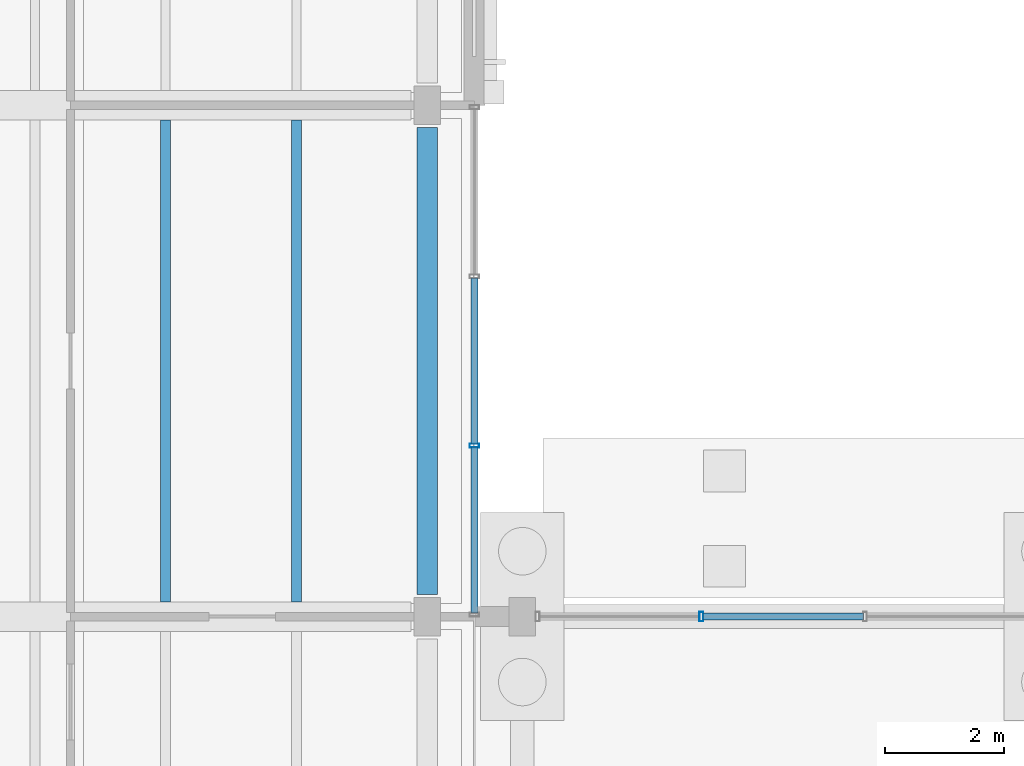
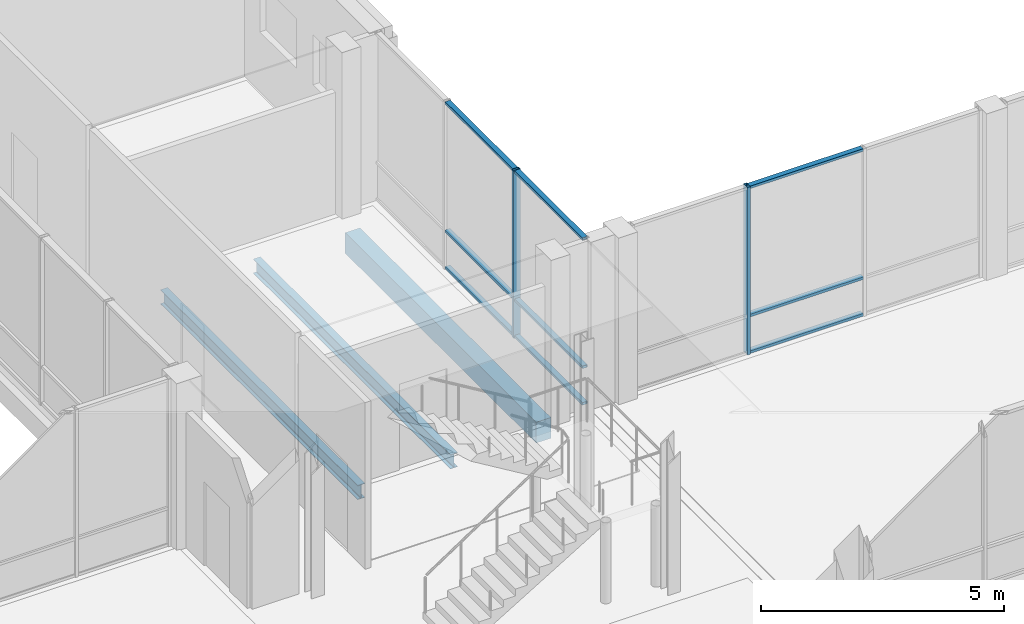
# One storey, part 56 of 104: 11 members, 3 beams, 2 elements without a shape of their own.
"""IFC4 building model written with IfcOpenShell, lengths in metres."""

import ifcopenshell
import ifcopenshell.guid

model = None  # the IFC model being written
_history = None  # IfcOwnerHistory: only IFC2X3 demands one
_inside = {}  # id of a spatial element -> (the spatial element, [elements in it])
_under = {}  # id of a project, library or spatial element -> (it, [spatial elements below it])
_declared = {}  # id of a project -> (the project, [libraries it declares])
_typed = {}  # id of a type object -> (the type object, [elements of that type])
_made_of = {}  # id of a material, layer set ... -> (it, [elements and type objects made of it])


def new_model(schema):
    """Start an empty IFC model of exactly this schema.

    Asked for "IFC4X3", IfcOpenShell would pick the latest addendum, in which some entities
    have other attributes; the version numbers below select the first issue.
    IFC2X3 requires an IfcOwnerHistory on every rooted entity: one is made here for all.
    """
    global model, _history
    if schema == "IFC4X3":
        model = ifcopenshell.file(schema_version=(4, 3, 0, 0))
    else:
        model = ifcopenshell.file(schema=schema)
    _inside.clear()
    _under.clear()
    _declared.clear()
    _typed.clear()
    _made_of.clear()
    _history = None
    if model.schema == "IFC2X3":
        org = make("IfcOrganization", Name="unknown")
        user = make(
            "IfcPersonAndOrganization",
            ThePerson=make("IfcPerson", FamilyName="unknown"),
            TheOrganization=org,
        )
        app = make(
            "IfcApplication",
            ApplicationDeveloper=org,
            Version="unknown",
            ApplicationFullName="unknown",
            ApplicationIdentifier="unknown",
        )
        _history = make(
            "IfcOwnerHistory",
            OwningUser=user,
            OwningApplication=app,
            ChangeAction="ADDED",
            CreationDate=0,
        )
    return model


def make(cls, **values):
    """One entity of the class cls with the attributes given. An attribute that is None is left unset."""
    return model.create_entity(
        cls, **{name: value for name, value in values.items() if value is not None}
    )


def rooted(cls, **values):
    """An entity with a GlobalId (a new one), such as an element, a storey or a relation."""
    return make(cls, GlobalId=ifcopenshell.guid.new(), OwnerHistory=_history, **values)


def si_unit(unit_type, name, prefix=None):
    """IfcSIUnit, for example si_unit("LENGTHUNIT", "METRE", prefix="MILLI")."""
    return make("IfcSIUnit", UnitType=unit_type, Prefix=prefix, Name=name)


def assignment(units):
    """IfcUnitAssignment: the units of a project."""
    return None if units is None else make("IfcUnitAssignment", Units=units)


def point(xyz):
    """IfcCartesianPoint."""
    return None if xyz is None else make("IfcCartesianPoint", Coordinates=xyz)


def direction(xyz):
    """IfcDirection."""
    return None if xyz is None else make("IfcDirection", DirectionRatios=xyz)


def frame(location, z_axis=None, x_axis=None):
    """IfcAxis2Placement3D, a coordinate frame: its origin and axes. An axis left out is left unset."""
    return make(
        "IfcAxis2Placement3D",
        Location=point(location),
        Axis=direction(z_axis),
        RefDirection=direction(x_axis),
    )


def frame_2d(location, x_axis=None):
    """IfcAxis2Placement2D, a coordinate frame in the plane: its origin and x axis."""
    return make(
        "IfcAxis2Placement2D", Location=point(location), RefDirection=direction(x_axis)
    )


def origin():
    """The frame at (0, 0, 0) with its axes left unset."""
    return frame((0.0, 0.0, 0.0))


def origin_2d():
    """The frame at (0, 0) in the plane with its x axis left unset."""
    return frame_2d((0.0, 0.0))


def place(relative_to, where):
    """IfcLocalPlacement: puts the frame where relative to a parent placement (None: the world)."""
    return make(
        "IfcLocalPlacement", PlacementRelTo=relative_to, RelativePlacement=where
    )


def context(
    kind, dimensions, precision=None, world=None, true_north=None, identifier=None
):
    """IfcGeometricRepresentationContext, for example the 3D "Model" context."""
    return make(
        "IfcGeometricRepresentationContext",
        ContextIdentifier=identifier,
        ContextType=kind,
        CoordinateSpaceDimension=dimensions,
        Precision=precision,
        WorldCoordinateSystem=world,
        TrueNorth=true_north,
    )


def subcontext(parent, identifier, kind, view, scale=None):
    """IfcGeometricRepresentationSubContext, for example "Body" below "Model"."""
    return make(
        "IfcGeometricRepresentationSubContext",
        ContextIdentifier=identifier,
        ContextType=kind,
        ParentContext=parent,
        TargetScale=scale,
        TargetView=view,
    )


def project(units=None, contexts=None):
    """IfcProject with its units and contexts."""
    return rooted(
        "IfcProject",
        Name="project",
        RepresentationContexts=contexts,
        UnitsInContext=assignment(units),
    )


def spatial(cls, under=None, at=None, **own):
    """A site, building, storey or space (cls), placed at a placement, below another one or the project."""
    s = rooted(cls, ObjectPlacement=at, **own)
    if under is not None:
        _under.setdefault(under.id(), (under, []))[1].append(s)
    return s


def profile(cls, at=None, kind="AREA", **sizes):
    """A parametric profile (cls). Its sizes go by their IFC names, for example OverallWidth=200.0."""
    return make(cls, ProfileType=kind, Position=at, **sizes)


def rectangle(**sizes):
    """IfcRectangleProfileDef."""
    return profile("IfcRectangleProfileDef", **sizes)


def hollow_rectangle(**sizes):
    """IfcRectangleHollowProfileDef."""
    return profile("IfcRectangleHollowProfileDef", **sizes)


def i_section(**sizes):
    """IfcIShapeProfileDef."""
    return profile("IfcIShapeProfileDef", **sizes)


def extrude(swept, where, along, depth):
    """IfcExtrudedAreaSolid: the profile swept, set in the frame where, extruded along a direction by depth."""
    return make(
        "IfcExtrudedAreaSolid",
        SweptArea=swept,
        Position=where,
        ExtrudedDirection=direction(along),
        Depth=depth,
    )


def shape(context_of_items, identifier, shape_type, items):
    """IfcShapeRepresentation: the items that make up one representation, for example the "Body"."""
    return make(
        "IfcShapeRepresentation",
        ContextOfItems=context_of_items,
        RepresentationIdentifier=identifier,
        RepresentationType=shape_type,
        Items=items,
    )


def material(Name=None, Category=None):
    """IfcMaterial."""
    return make("IfcMaterial", Name=Name, Category=Category)


def material_profile(
    of_material, cross_section, Name=None, Category=None, Priority=None
):
    """IfcMaterialProfile: a cross section and its material."""
    return make(
        "IfcMaterialProfile",
        Name=Name,
        Material=of_material,
        Profile=cross_section,
        Priority=Priority,
        Category=Category,
    )


def profile_set(profiles, Name=None, composite=None):
    """IfcMaterialProfileSet."""
    return make(
        "IfcMaterialProfileSet",
        Name=Name,
        MaterialProfiles=profiles,
        CompositeProfile=composite,
    )


def made_of(thing, what):
    """Note that an element or type object is made of a material, layer set ...; save() writes the relation."""
    if what is not None:
        _made_of.setdefault(what.id(), (what, []))[1].append(thing)
    return thing


def type_object(cls, material=None, **own):
    """A type object (cls), such as IfcWallType, which elements share."""
    return made_of(rooted(cls, **own), material)


def element(
    cls,
    number,
    at=None,
    inside=None,
    cuts=None,
    type_object=None,
    material=None,
    context=None,
    identifier="Body",
    shape_type=None,
    held_by="IfcProductDefinitionShape",
    body=None,
    shapes=None,
    **own,
):
    """One element of the class cls, such as IfcWall. Its Tag is "e" and its number.

    at: its placement. inside: the storey or other place that contains it. cuts: it is an
    opening in that element (IfcRelVoidsElement). A single representation is given by context,
    identifier, shape_type and body (its items); several are given by shapes. held_by: the class
    of the entity that holds the representations. save() writes the other relations.
    """
    e = rooted(cls, Tag="e%d" % number, ObjectPlacement=at, **own)
    if body is not None:
        shapes = [shape(context, identifier, shape_type, body)]
    if shapes is not None:
        e.Representation = make(held_by, Representations=shapes)
    if inside is not None:
        _inside.setdefault(inside.id(), (inside, []))[1].append(e)
    if cuts is not None:
        rooted(
            "IfcRelVoidsElement", RelatingBuildingElement=cuts, RelatedOpeningElement=e
        )
    if type_object is not None:
        _typed.setdefault(type_object.id(), (type_object, []))[1].append(e)
    return made_of(e, material)


def aggregate(whole, parts):
    """IfcRelAggregates: a whole, such as a stair, and the parts it consists of."""
    return rooted("IfcRelAggregates", RelatingObject=whole, RelatedObjects=parts)


def save(model, path):
    """Write the relations noted so far, then the file.

    IfcRelAggregates (storeys below a building ...), IfcRelContainedInSpatialStructure (elements
    in a storey), IfcRelDefinesByType, IfcRelAssociatesMaterial and IfcRelDeclares: one each for
    every whole, place, type object, material and project.
    """
    for whole, parts in _under.values():
        aggregate(whole, parts)
    for where, things in _inside.values():
        rooted(
            "IfcRelContainedInSpatialStructure",
            RelatedElements=things,
            RelatingStructure=where,
        )
    for kind, things in _typed.values():
        rooted("IfcRelDefinesByType", RelatedObjects=things, RelatingType=kind)
    for what, things in _made_of.values():
        rooted("IfcRelAssociatesMaterial", RelatedObjects=things, RelatingMaterial=what)
    for by, libraries in _declared.values():
        rooted("IfcRelDeclares", RelatingContext=by, RelatedDefinitions=libraries)
    model.write(path)


model = new_model("IFC4")

# Units and contexts
model_context = context("Model", 3, precision=1e-05, world=origin(), true_north=direction((0.0, 1.0)))
body_context = subcontext(model_context, "Body", "Model", "MODEL_VIEW")
ifc_project = project(units=[si_unit("LENGTHUNIT", "METRE"), si_unit("AREAUNIT", "SQUARE_METRE"), si_unit("VOLUMEUNIT", "CUBIC_METRE"), si_unit("PLANEANGLEUNIT", "RADIAN"), si_unit("MASSUNIT", "GRAM", prefix="KILO")], contexts=[model_context])

# Site, building, storey
site_placement = place(None, origin())
site = spatial("IfcSite", under=ifc_project, at=site_placement, CompositionType="ELEMENT")
building_placement = place(site_placement, origin())
building = spatial("IfcBuilding", under=site, at=building_placement, Name="Hawrajan Terrace Health Centre", CompositionType="ELEMENT")
storey_placement = place(building_placement, origin())
storey = spatial("IfcBuildingStorey", under=building, at=storey_placement, Name="L00", CompositionType="ELEMENT", Elevation=0.0)

# Curtain wall, member
ifc_material_1 = material(Name="Anodized bronze aluminium and low-E solar glazing", Category="aluminium")
curtain_wall_type_1 = type_object("IfcCurtainWallType", Name="CW_CourtNS_SeriesC3", PredefinedType="USERDEFINED", material=ifc_material_1)
curtain_wall_1_placement = place(storey_placement, origin())
curtain_wall_1 = element("IfcCurtainWall", 1, at=curtain_wall_1_placement, inside=storey, type_object=curtain_wall_type_1, Name="Curtain wall CW-L00-033", ObjectType="UNITISED CURTAIN WALL", PredefinedType="USERDEFINED")
ifc_material_2 = material(Name="Anodized bronze aluminium 6063-T6", Category="aluminium")
ifc_material_profile_1 = material_profile(ifc_material_2, hollow_rectangle(XDim=0.06494140625, YDim=0.159912109375, WallThickness=0.00390625, at=origin_2d()), Name="CW MUL 65x160")
ifc_profile_set_1 = profile_set([ifc_material_profile_1], Name="Anodized bronze aluminium 6063-T6")
member_type_1 = type_object("IfcMemberType", Name="CWMullion_65x160", PredefinedType="MULLION", material=ifc_profile_set_1)
member_1_placement = place(storey_placement, frame((71.794921875, 39.677490234375, -0.0048828125), z_axis=(0.0, 0.0, 1.0), x_axis=(0.0, 1.0, 0.0)))
member_1 = element("IfcMember", 2, at=member_1_placement, type_object=member_type_1, Name="Mullion CW-L00-033-M2", PredefinedType="MULLION", context=body_context, shape_type="SweptSolid", body=[
    extrude(hollow_rectangle(XDim=0.06494140625, YDim=0.159912109375, WallThickness=0.00390625, at=origin_2d()), origin(), (0.0, 0.0, 1.0), 4.2099609375),
])

curtain_wall_type_2 = type_object("IfcCurtainWallType", Name="CW_Pavilion_SeriesE1", PredefinedType="USERDEFINED", material=ifc_material_1)
curtain_wall_2_placement = place(storey_placement, origin())
curtain_wall_2 = element("IfcCurtainWall", 3, at=curtain_wall_2_placement, inside=storey, type_object=curtain_wall_type_2, Name="Curtain wall CW-L00-036", ObjectType="UNITISED CURTAIN WALL", PredefinedType="USERDEFINED")
member_2_placement = place(storey_placement, frame((75.61083984375, 36.800048828125, -0.0048828125), z_axis=(0.0, 0.0, 1.0), x_axis=(1.0, 0.0, 0.0)))
member_2 = element("IfcMember", 4, at=member_2_placement, type_object=member_type_1, Name="Mullion CW-L00-036-M2", PredefinedType="MULLION", context=body_context, shape_type="SweptSolid", body=[
    extrude(hollow_rectangle(XDim=0.06494140625, YDim=0.159912109375, WallThickness=0.00390625, at=origin_2d()), origin(), (0.0, 0.0, 1.0), 4.2099609375),
])

# Member
ifc_material_profile_2 = material_profile(ifc_material_2, hollow_rectangle(XDim=0.06494140625, YDim=0.1201171875, WallThickness=0.00341796875, at=origin_2d()), Name="CW TRN 65x120")
ifc_profile_set_2 = profile_set([ifc_material_profile_2], Name="Anodized bronze aluminium 6063-T6")
member_type_2 = type_object("IfcMemberType", Name="CWTransom_65x120", PredefinedType="USERDEFINED", material=ifc_profile_set_2)
member_3_placement = place(storey_placement, frame((71.794921875, 36.85888671875, 0.032470703125), z_axis=(0.0, 1.0, 0.0), x_axis=(0.0, 0.0, 1.0)))
member_3 = element("IfcMember", 5, at=member_3_placement, type_object=member_type_2, Name="Transom CW-L00-033-T1-1", ObjectType="TRANSOM", PredefinedType="USERDEFINED", context=body_context, shape_type="SweptSolid", body=[
    extrude(hollow_rectangle(XDim=0.06494140625, YDim=0.1201171875, WallThickness=0.00341796875, at=origin_2d()), origin(), (0.0, 0.0, 1.0), 2.7919921875),
])

member_4_placement = place(storey_placement, frame((71.794921875, 36.85888671875, 0.949951171875), z_axis=(0.0, 1.0, 0.0), x_axis=(0.0, 0.0, 1.0)))
member_4 = element("IfcMember", 6, at=member_4_placement, type_object=member_type_2, Name="Transom CW-L00-033-T1-2", ObjectType="TRANSOM", PredefinedType="USERDEFINED", context=body_context, shape_type="SweptSolid", body=[
    extrude(hollow_rectangle(XDim=0.06494140625, YDim=0.1201171875, WallThickness=0.00341796875, at=origin_2d()), origin(), (0.0, 0.0, 1.0), 2.7919921875),
])

member_5_placement = place(storey_placement, frame((71.794921875, 36.85888671875, 4.16748046875), z_axis=(0.0, 1.0, 0.0), x_axis=(0.0, 0.0, 1.0)))
member_5 = element("IfcMember", 7, at=member_5_placement, type_object=member_type_2, Name="Transom CW-L00-033-T1-3", ObjectType="TRANSOM", PredefinedType="USERDEFINED", context=body_context, shape_type="SweptSolid", body=[
    extrude(hollow_rectangle(XDim=0.06494140625, YDim=0.1201171875, WallThickness=0.00341796875, at=origin_2d()), origin(), (0.0, 0.0, 1.0), 2.7919921875),
])

member_6_placement = place(storey_placement, frame((71.794921875, 39.7041015625, 0.032470703125), z_axis=(0.0, 1.0, 0.0), x_axis=(0.0, 0.0, 1.0)))
member_6 = element("IfcMember", 8, at=member_6_placement, type_object=member_type_2, Name="Transom CW-L00-033-T2-1", ObjectType="TRANSOM", PredefinedType="USERDEFINED", context=body_context, shape_type="SweptSolid", body=[
    extrude(hollow_rectangle(XDim=0.06494140625, YDim=0.1201171875, WallThickness=0.00341796875, at=origin_2d()), origin(), (0.0, 0.0, 1.0), 2.7919921875),
])

member_7_placement = place(storey_placement, frame((71.794921875, 39.7041015625, 0.949951171875), z_axis=(0.0, 1.0, 0.0), x_axis=(0.0, 0.0, 1.0)))
member_7 = element("IfcMember", 9, at=member_7_placement, type_object=member_type_2, Name="Transom CW-L00-033-T2-2", ObjectType="TRANSOM", PredefinedType="USERDEFINED", context=body_context, shape_type="SweptSolid", body=[
    extrude(hollow_rectangle(XDim=0.06494140625, YDim=0.1201171875, WallThickness=0.00341796875, at=origin_2d()), origin(), (0.0, 0.0, 1.0), 2.7919921875),
])

member_8_placement = place(storey_placement, frame((71.794921875, 39.7041015625, 4.16748046875), z_axis=(0.0, 1.0, 0.0), x_axis=(0.0, 0.0, 1.0)))
member_8 = element("IfcMember", 10, at=member_8_placement, type_object=member_type_2, Name="Transom CW-L00-033-T2-3", ObjectType="TRANSOM", PredefinedType="USERDEFINED", context=body_context, shape_type="SweptSolid", body=[
    extrude(hollow_rectangle(XDim=0.06494140625, YDim=0.1201171875, WallThickness=0.00341796875, at=origin_2d()), origin(), (0.0, 0.0, 1.0), 2.7919921875),
])

aggregate(curtain_wall_1, [member_1, member_3, member_4, member_5, member_6, member_7, member_8])

member_9_placement = place(storey_placement, frame((75.63720703125, 36.800048828125, 0.032470703125), z_axis=(1.0, 0.0, 0.0), x_axis=(0.0, 0.0, 1.0)))
member_9 = element("IfcMember", 11, at=member_9_placement, type_object=member_type_2, Name="Transom CW-L00-036-T2-1", ObjectType="TRANSOM", PredefinedType="USERDEFINED", context=body_context, shape_type="SweptSolid", body=[
    extrude(hollow_rectangle(XDim=0.06494140625, YDim=0.1201171875, WallThickness=0.00341796875, at=origin_2d()), origin(), (0.0, 0.0, 1.0), 2.700439453125),
])

member_10_placement = place(storey_placement, frame((75.63720703125, 36.800048828125, 0.949951171875), z_axis=(1.0, 0.0, 0.0), x_axis=(0.0, 0.0, 1.0)))
member_10 = element("IfcMember", 12, at=member_10_placement, type_object=member_type_2, Name="Transom CW-L00-036-T2-2", ObjectType="TRANSOM", PredefinedType="USERDEFINED", context=body_context, shape_type="SweptSolid", body=[
    extrude(hollow_rectangle(XDim=0.06494140625, YDim=0.1201171875, WallThickness=0.00341796875, at=origin_2d()), origin(), (0.0, 0.0, 1.0), 2.700439453125),
])

member_11_placement = place(storey_placement, frame((75.63720703125, 36.800048828125, 4.16748046875), z_axis=(1.0, 0.0, 0.0), x_axis=(0.0, 0.0, 1.0)))
member_11 = element("IfcMember", 13, at=member_11_placement, type_object=member_type_2, Name="Transom CW-L00-036-T2-3", ObjectType="TRANSOM", PredefinedType="USERDEFINED", context=body_context, shape_type="SweptSolid", body=[
    extrude(hollow_rectangle(XDim=0.06494140625, YDim=0.1201171875, WallThickness=0.00341796875, at=origin_2d()), origin(), (0.0, 0.0, 1.0), 2.700439453125),
])

aggregate(curtain_wall_2, [member_2, member_9, member_10, member_11])

# Beams
ifc_material_3 = material(Name="Concrete C40/50", Category="concrete")
ifc_material_profile_3 = material_profile(ifc_material_3, rectangle(XDim=0.35009765625, YDim=0.52001953125, at=origin_2d()), Name="RC SP 350x520")
ifc_profile_set_3 = profile_set([ifc_material_profile_3], Name="Concrete C40/50")
beam_type_1 = type_object("IfcBeamType", Name="RCSpandrel_350x520", PredefinedType="SPANDREL", material=ifc_profile_set_3)
beam_placement = place(storey_placement, frame((71.0, 37.175048828125, -0.56005859375), z_axis=(0.0, 1.0, 0.0), x_axis=(-1.0, 0.0, 0.0)))
element("IfcBeam", 14, at=beam_placement, inside=storey, type_object=beam_type_1, Name="Beam BM-Y-L00-W-X10-5", PredefinedType="SPANDREL", context=body_context, shape_type="SweptSolid", body=[
    extrude(rectangle(XDim=0.35009765625, YDim=0.52001953125, at=origin_2d()), origin(), (0.0, 0.0, 1.0), 7.849853515625),
])
ifc_material_4 = material(Name="Steel S355", Category="steel")
ifc_material_profile_4 = material_profile(ifc_material_4, i_section(OverallWidth=0.169921875, OverallDepth=0.360107421875, WebThickness=0.008056640625, FlangeThickness=0.0126953125, FilletRadius=0.01806640625, at=origin_2d()), Name="IPE 360")
ifc_profile_set_4 = profile_set([ifc_material_profile_4], Name="Steel S355")
beam_type_2 = type_object("IfcBeamType", Name="SteelBeam_IPE360", PredefinedType="BEAM", material=ifc_profile_set_4)
for number, where, z_axis, x_axis, name in (
    (15, (66.60009765625, 37.050048828125, -0.47998046875), (0.0, 1.0, 0.0), (-1.0, 0.0, 0.0), "Secondary joist JST-L00-W-09-5-2"),
    (16, (68.800048828125, 37.050048828125, -0.47998046875), (0.0, 1.0, 0.0), (-1.0, 0.0, 0.0), "Secondary joist JST-L00-W-09-5-3"),
):
    element("IfcBeam", number, at=place(storey_placement, frame(where, z_axis=z_axis, x_axis=x_axis)), inside=storey, type_object=beam_type_2, Name=name, PredefinedType="BEAM", context=body_context, shape_type="SweptSolid", body=[
        extrude(i_section(OverallWidth=0.169921875, OverallDepth=0.360107421875, WebThickness=0.008056640625, FlangeThickness=0.0126953125, FilletRadius=0.01806640625, at=origin_2d()), origin(), (0.0, 0.0, 1.0), 8.099853515625),
    ])

save(model, "model.ifc")
